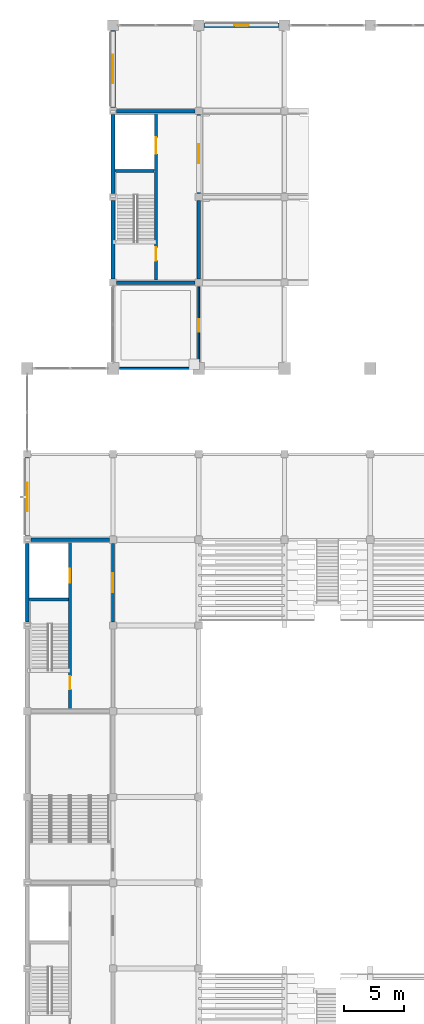
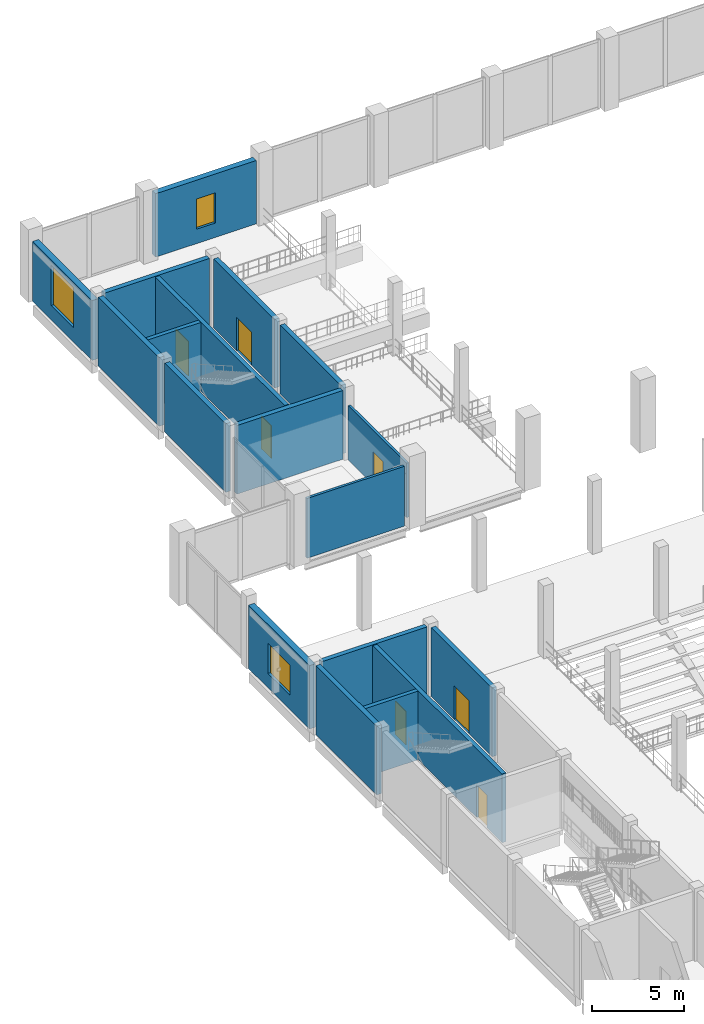
# One storey, part 67 of 99: 18 walls, 7 doors, 3 windows, 10 openings.
"""IFC4 building model written with IfcOpenShell, lengths in metres."""

from ifc_helpers import new_model, si_unit, direction, frame, frame_2d, origin, place, context, subcontext, project, spatial, rectangle, extrude, material, layer, layer_set, type_object, element, fill, save


model = new_model("IFC4")

# Units and contexts
model_context = context("Model", 3, precision=1e-05, world=origin(), true_north=direction((0.0, 1.0)))
body_context = subcontext(model_context, "Body", "Model", "MODEL_VIEW")
ifc_project = project(units=[si_unit("LENGTHUNIT", "METRE"), si_unit("AREAUNIT", "SQUARE_METRE"), si_unit("VOLUMEUNIT", "CUBIC_METRE"), si_unit("PLANEANGLEUNIT", "RADIAN"), si_unit("MASSUNIT", "GRAM", prefix="KILO")], contexts=[model_context])

# Site, building, storey
site_placement = place(None, origin())
site = spatial("IfcSite", under=ifc_project, at=site_placement, CompositionType="ELEMENT")
building_placement = place(site_placement, origin())
building = spatial("IfcBuilding", under=site, at=building_placement, Name="Vesperath Aquatics Centre", CompositionType="ELEMENT")
storey_placement = place(building_placement, frame((0.0, 0.0, 5.39990234375)))
storey = spatial("IfcBuildingStorey", under=building, at=storey_placement, Name="L01", CompositionType="ELEMENT", Elevation=5.39990234375)

# Wall, opening, window
ifc_material_1 = material(Name="Red-terracotta brick insulated cavity wall", Category="masonry")
ifc_layer_1 = layer(ifc_material_1, 0.3798828125)
ifc_layer_set_1 = layer_set([ifc_layer_1], Name="Red-terracotta brick insulated cavity wall")
wall_type_1 = type_object("IfcWallType", Name="WL-EW02", PredefinedType="SOLIDWALL", material=ifc_layer_set_1)
wall_1_placement = place(storey_placement, frame((0.0, 72.300048828125, 0.0), z_axis=(0.0, 0.0, 1.0), x_axis=(0.0, 1.0, 0.0)))
wall_1 = element("IfcWall", 1, at=wall_1_placement, inside=storey, type_object=wall_type_1, Name="Exterior Wall EW02 L01_W_00_10", PredefinedType="SOLIDWALL", context=body_context, shape_type="SweptSolid", body=[
    extrude(rectangle(XDim=6.599853515625, YDim=0.3798828125, at=frame_2d((3.2998046875, 0.0))), origin(), (0.0, 0.0, 1.0), 4.190185546875),
])
opening_1_placement = place(wall_1_placement, frame((2.10009765625, 0.0, 0.949951171875)))
opening_1 = element("IfcOpeningElement", 2, at=opening_1_placement, cuts=wall_1, Name="Opening W05", PredefinedType="OPENING", context=body_context, shape_type="SweptSolid", body=[
    extrude(rectangle(XDim=2.39990234375, YDim=2.0, at=frame_2d((1.199951171875, 1.0))), frame((0.0, 0.204833984375, 0.0), z_axis=(0.0, -1.0, 0.0), x_axis=(1.0, 0.0, 0.0)), (0.0, 0.0, 1.0), 0.40966796875),
])
ifc_material_2 = material(Name="Thermally broken aluminium triple-glazed window", Category="aluminium")
window_type_1 = type_object("IfcWindowType", Name="WN-W05", PartitioningType="SINGLE_PANEL", PredefinedType="WINDOW", material=ifc_material_2)
window_1_placement = place(opening_1_placement, origin())
window_1 = element("IfcWindow", 3, at=window_1_placement, inside=storey, type_object=window_type_1, Name="Deep-Reveal Casement Window W05 L01_W_00_10", OverallHeight=2.0, OverallWidth=2.39990234375, PartitioningType="SINGLE_PANEL", PredefinedType="WINDOW", context=body_context, shape_type="SweptSolid", body=[
    extrude(rectangle(XDim=2.39990234375, YDim=2.0, at=frame_2d((1.199951171875, 1.0))), frame((0.0, 0.030029296875, 0.0), z_axis=(0.0, -1.0, 0.0), x_axis=(1.0, 0.0, 0.0)), (0.0, 0.0, 1.0), 0.06005859375),
])
fill(opening_1, window_1)

wall_2_placement = place(storey_placement, frame((7.199951171875, 108.300048828125, 0.0), z_axis=(0.0, 0.0, 1.0), x_axis=(0.0, 1.0, 0.0)))
wall_2 = element("IfcWall", 4, at=wall_2_placement, inside=storey, type_object=wall_type_1, Name="Exterior Wall EW02 L01_W_01_15", PredefinedType="SOLIDWALL", context=body_context, shape_type="SweptSolid", body=[
    extrude(rectangle(XDim=6.449951171875, YDim=0.3798828125, at=frame_2d((3.22509765625, 0.0))), origin(), (0.0, 0.0, 1.0), 3.9521484375),
])
opening_2_placement = place(wall_2_placement, frame((2.02490234375, 0.0, 0.949951171875)))
opening_2 = element("IfcOpeningElement", 5, at=opening_2_placement, cuts=wall_2, Name="Opening W01", PredefinedType="OPENING", context=body_context, shape_type="SweptSolid", body=[
    extrude(rectangle(XDim=2.39990234375, YDim=2.64990234375, at=frame_2d((1.199951171875, 1.324951171875))), frame((0.0, 0.204833984375, 0.0), z_axis=(0.0, -1.0, 0.0), x_axis=(1.0, 0.0, 0.0)), (0.0, 0.0, 1.0), 0.40966796875),
])
window_type_2 = type_object("IfcWindowType", Name="WN-W01", PartitioningType="SINGLE_PANEL", PredefinedType="WINDOW", material=ifc_material_2)
window_2_placement = place(opening_2_placement, origin())
window_2 = element("IfcWindow", 6, at=window_2_placement, inside=storey, type_object=window_type_2, Name="Deep-Reveal Casement Window W01 L01_W_01_15", OverallHeight=2.64990234375, OverallWidth=2.39990234375, PartitioningType="SINGLE_PANEL", PredefinedType="WINDOW", context=body_context, shape_type="SweptSolid", body=[
    extrude(rectangle(XDim=2.39990234375, YDim=2.64990234375, at=frame_2d((1.199951171875, 1.324951171875))), frame((0.0, 0.030029296875, 0.0), z_axis=(0.0, -1.0, 0.0), x_axis=(1.0, 0.0, 0.0)), (0.0, 0.0, 1.0), 0.06005859375),
])
fill(opening_2, window_2)

ifc_material_3 = material(Name="Glazed majolica and brick insulated cavity wall", Category="masonry")
ifc_layer_2 = layer(ifc_material_3, 0.360107421875)
ifc_layer_set_2 = layer_set([ifc_layer_2], Name="Glazed majolica and brick insulated cavity wall")
wall_type_2 = type_object("IfcWallType", Name="WL-EW03", PredefinedType="SOLIDWALL", material=ifc_layer_set_2)
wall_3_placement = place(storey_placement, frame((14.85009765625, 115.199951171875, 0.0), z_axis=(0.0, 0.0, 1.0), x_axis=(1.0, 0.0, 0.0)))
wall_3 = element("IfcWall", 7, at=wall_3_placement, inside=storey, type_object=wall_type_2, Name="Exterior Wall EW03 L01_N_02_16", PredefinedType="SOLIDWALL", context=body_context, shape_type="SweptSolid", body=[
    extrude(rectangle(XDim=6.2998046875, YDim=0.360107421875, at=frame_2d((3.14990234375, 0.0))), origin(), (0.0, 0.0, 1.0), 4.190185546875),
])
opening_3_placement = place(wall_3_placement, frame((2.550048828125, 0.0, 0.949951171875)))
opening_3 = element("IfcOpeningElement", 8, at=opening_3_placement, cuts=wall_3, Name="Opening W09", PredefinedType="OPENING", context=body_context, shape_type="SweptSolid", body=[
    extrude(rectangle(XDim=1.199951171875, YDim=2.0, at=frame_2d((0.60009765625, 1.0))), frame((0.0, 0.19482421875, 0.0), z_axis=(0.0, -1.0, 0.0), x_axis=(1.0, 0.0, 0.0)), (0.0, 0.0, 1.0), 0.389892578125),
])
window_type_3 = type_object("IfcWindowType", Name="WN-W09", PartitioningType="SINGLE_PANEL", PredefinedType="WINDOW", material=ifc_material_2)
window_3_placement = place(opening_3_placement, origin())
window_3 = element("IfcWindow", 9, at=window_3_placement, inside=storey, type_object=window_type_3, Name="Deep-Reveal Casement Window W09 L01_N_02_16", OverallHeight=2.0, OverallWidth=1.199951171875, PartitioningType="SINGLE_PANEL", PredefinedType="WINDOW", context=body_context, shape_type="SweptSolid", body=[
    extrude(rectangle(XDim=1.199951171875, YDim=2.0, at=frame_2d((0.60009765625, 1.0))), frame((0.0, 0.030029296875, 0.0), z_axis=(0.0, -1.0, 0.0), x_axis=(1.0, 0.0, 0.0)), (0.0, 0.0, 1.0), 0.06005859375),
])
fill(opening_3, window_3)

# Wall
ifc_material_4 = material(Name="Clinic acoustic partition", Category="gypsum")
ifc_layer_3 = layer(ifc_material_4, 0.159912109375)
ifc_layer_set_3 = layer_set([ifc_layer_3], Name="Clinic acoustic partition")
wall_type_3 = type_object("IfcWallType", Name="WL-IW04", PredefinedType="PARTITIONING", material=ifc_layer_set_3)
wall_4_placement = place(storey_placement, frame((7.75, 86.39990234375, 0.0), z_axis=(0.0, 0.0, 1.0), x_axis=(1.0, 0.0, 0.0)))
element("IfcWall", 10, at=wall_4_placement, inside=storey, type_object=wall_type_3, Name="Interior Partition IW04 L01_DIVE_JDG-S1", PredefinedType="PARTITIONING", context=body_context, shape_type="SweptSolid", body=[
    extrude(rectangle(XDim=6.10009765625, YDim=0.159912109375, at=frame_2d((3.050048828125, 0.0))), origin(), (0.0, 0.0, 1.0), 3.9521484375),
])

# Wall, opening, door
ifc_material_5 = material(Name="Laboratory clean partition", Category="gypsum")
ifc_layer_4 = layer(ifc_material_5, 0.152099609375)
ifc_layer_set_4 = layer_set([ifc_layer_4], Name="Laboratory clean partition")
wall_type_4 = type_object("IfcWallType", Name="WL-IW05", PredefinedType="PARTITIONING", material=ifc_layer_set_4)
wall_5_placement = place(storey_placement, frame((14.39990234375, 86.949951171875, 0.0), z_axis=(0.0, 0.0, 1.0), x_axis=(0.0, 1.0, 0.0)))
wall_5 = element("IfcWall", 11, at=wall_5_placement, inside=storey, type_object=wall_type_4, Name="Interior Partition IW05 L01_DIVE_JDG-E1", PredefinedType="PARTITIONING", context=body_context, shape_type="SweptSolid", body=[
    extrude(rectangle(XDim=6.300048828125, YDim=0.152099609375, at=frame_2d((3.14990234375, 0.0))), origin(), (0.0, 0.0, 1.0), 3.59521484375),
])
opening_4_placement = place(wall_5_placement, frame((2.510009765625, 0.0, 0.0)))
opening_4 = element("IfcOpeningElement", 12, at=opening_4_placement, cuts=wall_5, Name="Opening D13", PredefinedType="OPENING", context=body_context, shape_type="SweptSolid", body=[
    extrude(rectangle(XDim=1.080078125, YDim=2.14990234375, at=frame_2d((0.5400390625, 1.074951171875))), frame((0.0, 0.0908203125, 0.0), z_axis=(0.0, -1.0, 0.0), x_axis=(1.0, 0.0, 0.0)), (0.0, 0.0, 1.0), 0.181884765625),
])
ifc_material_6 = material(Name="Officials suite acoustic door", Category="steel")
door_type_1 = type_object("IfcDoorType", Name="DR-RM05", OperationType="NOTDEFINED", PredefinedType="DOOR", material=ifc_material_6)
door_1_placement = place(opening_4_placement, origin())
door_1 = element("IfcDoor", 13, at=door_1_placement, inside=storey, type_object=door_type_1, Name="Diving Judges Review Room Door D13", OperationType="SINGLE_SWING_LEFT", OverallHeight=2.14990234375, OverallWidth=1.080078125, PredefinedType="DOOR", context=body_context, shape_type="SweptSolid", body=[
    extrude(rectangle(XDim=1.080078125, YDim=2.14990234375, at=frame_2d((0.5400390625, 1.074951171875))), frame((0.0, 0.02490234375, 0.0), z_axis=(0.0, -1.0, 0.0), x_axis=(1.0, 0.0, 0.0)), (0.0, 0.0, 1.0), 0.050048828125),
])
fill(opening_4, door_1)

# Walls
ifc_material_7 = material(Name="Concrete C40", Category="concrete")
ifc_layer_5 = layer(ifc_material_7, 0.300048828125)
ifc_layer_set_5 = layer_set([ifc_layer_5], Name="Concrete C40")
wall_type_5 = type_object("IfcWallType", Name="WL-SW01", PredefinedType="SHEAR", material=ifc_layer_set_5)
for number, where, z_axis, x_axis, name in (
    (14, (7.5, 93.60009765625, 0.0), (0.0, 0.0, 1.0), (1.0, 0.0, 0.0), "Core C3 South Shear Wall SW01 L01"),
    (15, (7.5, 108.0, 0.0), (0.0, 0.0, 1.0), (1.0, 0.0, 0.0), "Core C3 North Shear Wall SW01 L01"),
    (16, (14.39990234375, 93.89990234375, 0.0), (0.0, 0.0, 1.0), (0.0, 1.0, 0.0), "Core C3 East-1 Shear Wall SW01 L01"),
):
    element("IfcWall", number, at=place(storey_placement, frame(where, z_axis=z_axis, x_axis=x_axis)), inside=storey, type_object=wall_type_5, Name=name, PredefinedType="SHEAR", context=body_context, shape_type="SweptSolid", body=[
        extrude(rectangle(XDim=6.60009765625, YDim=0.300048828125, at=frame_2d((3.300048828125, 0.0))), origin(), (0.0, 0.0, 1.0), 4.5400390625),
    ])

# Wall, opening, door
wall_6_placement = place(storey_placement, frame((14.39990234375, 101.10009765625, 0.0), z_axis=(0.0, 0.0, 1.0), x_axis=(0.0, 1.0, 0.0)))
wall_6 = element("IfcWall", 17, at=wall_6_placement, inside=storey, type_object=wall_type_5, Name="Core C3 East-2 Shear Wall SW01 L01", PredefinedType="SHEAR", context=body_context, shape_type="SweptSolid", body=[
    extrude(rectangle(XDim=6.599853515625, YDim=0.300048828125, at=frame_2d((3.2998046875, 0.0))), origin(), (0.0, 0.0, 1.0), 4.5400390625),
])
opening_5_placement = place(wall_6_placement, frame((2.5, 0.0, 0.0)))
opening_5 = element("IfcOpeningElement", 18, at=opening_5_placement, cuts=wall_6, Name="Opening D02", PredefinedType="OPENING", context=body_context, shape_type="SweptSolid", body=[
    extrude(rectangle(XDim=1.60009765625, YDim=2.199951171875, at=frame_2d((0.800048828125, 1.10009765625))), frame((0.0, 0.1650390625, 0.0), z_axis=(0.0, -1.0, 0.0), x_axis=(1.0, 0.0, 0.0)), (0.0, 0.0, 1.0), 0.329833984375),
])
ifc_material_8 = material(Name="Glazed fire-rated lobby double door", Category="steel")
door_type_2 = type_object("IfcDoorType", Name="DR-FD02", OperationType="DOUBLE_SWING_LEFT", PredefinedType="DOOR", material=ifc_material_8)
door_2_placement = place(opening_5_placement, frame((1.60009765625, 0.0, 0.0), z_axis=(0.0, 0.0, 1.0), x_axis=(-1.0, 0.0, 0.0)))
door_2 = element("IfcDoor", 19, at=door_2_placement, inside=storey, type_object=door_type_2, Name="Core C3 Lobby Fire Door D02 L01", OperationType="DOUBLE_SWING_LEFT", OverallHeight=2.199951171875, OverallWidth=1.60009765625, PredefinedType="DOOR", context=body_context, shape_type="SweptSolid", body=[
    extrude(rectangle(XDim=1.60009765625, YDim=2.199951171875, at=frame_2d((0.800048828125, 1.10009765625))), frame((0.0, 0.02490234375, 0.0), z_axis=(0.0, -1.0, 0.0), x_axis=(1.0, 0.0, 0.0)), (0.0, 0.0, 1.0), 0.050048828125),
])
fill(opening_5, door_2)

# Wall
ifc_layer_6 = layer(ifc_material_7, 0.280029296875)
ifc_layer_set_6 = layer_set([ifc_layer_6], Name="Concrete C40")
wall_type_6 = type_object("IfcWallType", Name="WL-SW02", PredefinedType="SHEAR", material=ifc_layer_set_6)
wall_7_placement = place(storey_placement, frame((0.300048828125, 72.0, 0.0), z_axis=(0.0, 0.0, 1.0), x_axis=(1.0, 0.0, 0.0)))
element("IfcWall", 20, at=wall_7_placement, inside=storey, type_object=wall_type_6, Name="Core C2 North Shear Wall SW02 L01", PredefinedType="SHEAR", context=body_context, shape_type="SweptSolid", body=[
    extrude(rectangle(XDim=6.599853515625, YDim=0.280029296875, at=frame_2d((3.2998046875, 0.0))), origin(), (0.0, 0.0, 1.0), 4.5400390625),
])

# Wall, opening, door
wall_8_placement = place(storey_placement, frame((7.199951171875, 65.10009765625, 0.0), z_axis=(0.0, 0.0, 1.0), x_axis=(0.0, 1.0, 0.0)))
wall_8 = element("IfcWall", 21, at=wall_8_placement, inside=storey, type_object=wall_type_6, Name="Core C2 East-2 Shear Wall SW02 L01", PredefinedType="SHEAR", context=body_context, shape_type="SweptSolid", body=[
    extrude(rectangle(XDim=6.599853515625, YDim=0.280029296875, at=frame_2d((3.2998046875, 0.0))), origin(), (0.0, 0.0, 1.0), 4.5400390625),
])
opening_6_placement = place(wall_8_placement, frame((2.5, 0.0, 0.0)))
opening_6 = element("IfcOpeningElement", 22, at=opening_6_placement, cuts=wall_8, Name="Opening D02", PredefinedType="OPENING", context=body_context, shape_type="SweptSolid", body=[
    extrude(rectangle(XDim=1.60009765625, YDim=2.199951171875, at=frame_2d((0.800048828125, 1.10009765625))), frame((0.0, 0.15478515625, 0.0), z_axis=(0.0, -1.0, 0.0), x_axis=(1.0, 0.0, 0.0)), (0.0, 0.0, 1.0), 0.309814453125),
])
door_3_placement = place(opening_6_placement, frame((1.60009765625, 0.0, 0.0), z_axis=(0.0, 0.0, 1.0), x_axis=(-1.0, 0.0, 0.0)))
door_3 = element("IfcDoor", 23, at=door_3_placement, inside=storey, type_object=door_type_2, Name="Core C2 Lobby Fire Door D02 L01", OperationType="DOUBLE_SWING_LEFT", OverallHeight=2.199951171875, OverallWidth=1.60009765625, PredefinedType="DOOR", context=body_context, shape_type="SweptSolid", body=[
    extrude(rectangle(XDim=1.60009765625, YDim=2.199951171875, at=frame_2d((0.800048828125, 1.10009765625))), frame((0.0, 0.02490234375, 0.0), z_axis=(0.0, -1.0, 0.0), x_axis=(1.0, 0.0, 0.0)), (0.0, 0.0, 1.0), 0.050048828125),
])
fill(opening_6, door_3)

# Wall, openings, doors
ifc_layer_7 = layer(ifc_material_7, 0.260009765625)
ifc_layer_set_7 = layer_set([ifc_layer_7], Name="Concrete C40")
wall_type_7 = type_object("IfcWallType", Name="WL-SW03", PredefinedType="SHEAR", material=ifc_layer_set_7)
wall_9_placement = place(storey_placement, frame((3.60009765625, 57.800048828125, 0.0), z_axis=(0.0, 0.0, 1.0), x_axis=(0.0, 1.0, 0.0)))
wall_9 = element("IfcWall", 24, at=wall_9_placement, inside=storey, type_object=wall_type_7, Name="Core C2 Spine Shear Wall SW03 L01", PredefinedType="SHEAR", context=body_context, shape_type="SweptSolid", body=[
    extrude(rectangle(XDim=14.0, YDim=0.260009765625, at=frame_2d((7.0, 0.0))), origin(), (0.0, 0.0, 1.0), 4.5400390625),
])
opening_7_placement = place(wall_9_placement, frame((1.64990234375, 0.0, 0.0)))
opening_7 = element("IfcOpeningElement", 25, at=opening_7_placement, cuts=wall_9, Name="Opening D01", PredefinedType="OPENING", context=body_context, shape_type="SweptSolid", body=[
    extrude(rectangle(XDim=1.10009765625, YDim=2.14990234375, at=frame_2d((0.550048828125, 1.074951171875))), frame((0.0, 0.14501953125, 0.0), z_axis=(0.0, -1.0, 0.0), x_axis=(1.0, 0.0, 0.0)), (0.0, 0.0, 1.0), 0.289794921875),
])
opening_8_placement = place(wall_9_placement, frame((10.60009765625, 0.0, 0.0)))
opening_8 = element("IfcOpeningElement", 26, at=opening_8_placement, cuts=wall_9, Name="Opening LD02", PredefinedType="OPENING", context=body_context, shape_type="SweptSolid", body=[
    extrude(rectangle(XDim=1.14990234375, YDim=2.199951171875, at=frame_2d((0.574951171875, 1.10009765625))), frame((0.0, 0.14501953125, 0.0), z_axis=(0.0, -1.0, 0.0), x_axis=(1.0, 0.0, 0.0)), (0.0, 0.0, 1.0), 0.289794921875),
])
ifc_material_9 = material(Name="Steel-faced acoustic fire door", Category="steel")
door_type_3 = type_object("IfcDoorType", Name="DR-FD01", OperationType="NOTDEFINED", PredefinedType="DOOR", material=ifc_material_9)
door_4_placement = place(opening_7_placement, origin())
door_4 = element("IfcDoor", 27, at=door_4_placement, inside=storey, type_object=door_type_3, Name="Stair ST2 Fire Door D01 L01", OperationType="SINGLE_SWING_LEFT", OverallHeight=2.14990234375, OverallWidth=1.10009765625, PredefinedType="DOOR", context=body_context, shape_type="SweptSolid", body=[
    extrude(rectangle(XDim=1.10009765625, YDim=2.14990234375, at=frame_2d((0.550048828125, 1.074951171875))), frame((0.0, 0.02490234375, 0.0), z_axis=(0.0, -1.0, 0.0), x_axis=(1.0, 0.0, 0.0)), (0.0, 0.0, 1.0), 0.050048828125),
])
fill(opening_7, door_4)
ifc_material_10 = material(Name="Brushed stainless steel lift landing door", Category="steel")
door_type_4 = type_object("IfcDoorType", Name="DR-LD02", OperationType="SLIDING_TO_RIGHT", PredefinedType="DOOR", material=ifc_material_10)
door_5_placement = place(opening_8_placement, frame((1.14990234375, 0.0, 0.0), z_axis=(0.0, 0.0, 1.0), x_axis=(-1.0, 0.0, 0.0)))
door_5 = element("IfcDoor", 28, at=door_5_placement, inside=storey, type_object=door_type_4, Name="Lift LFT-P2 Sliding Landing Door LD02 L01", OperationType="SLIDING_TO_RIGHT", OverallHeight=2.199951171875, OverallWidth=1.14990234375, PredefinedType="DOOR", context=body_context, shape_type="SweptSolid", body=[
    extrude(rectangle(XDim=1.14990234375, YDim=2.199951171875, at=frame_2d((0.574951171875, 1.10009765625))), frame((0.0, 0.02490234375, 0.0), z_axis=(0.0, -1.0, 0.0), x_axis=(1.0, 0.0, 0.0)), (0.0, 0.0, 1.0), 0.050048828125),
])
fill(opening_8, door_5)

wall_10_placement = place(storey_placement, frame((10.800048828125, 93.800048828125, 0.0), z_axis=(0.0, 0.0, 1.0), x_axis=(0.0, 1.0, 0.0)))
wall_10 = element("IfcWall", 29, at=wall_10_placement, inside=storey, type_object=wall_type_7, Name="Core C3 Spine Shear Wall SW03 L01", PredefinedType="SHEAR", context=body_context, shape_type="SweptSolid", body=[
    extrude(rectangle(XDim=14.0, YDim=0.260009765625, at=frame_2d((7.0, 0.0))), origin(), (0.0, 0.0, 1.0), 4.5400390625),
])
opening_9_placement = place(wall_10_placement, frame((1.64990234375, 0.0, 0.0)))
opening_9 = element("IfcOpeningElement", 30, at=opening_9_placement, cuts=wall_10, Name="Opening D01", PredefinedType="OPENING", context=body_context, shape_type="SweptSolid", body=[
    extrude(rectangle(XDim=1.10009765625, YDim=2.14990234375, at=frame_2d((0.550048828125, 1.074951171875))), frame((0.0, 0.14501953125, 0.0), z_axis=(0.0, -1.0, 0.0), x_axis=(1.0, 0.0, 0.0)), (0.0, 0.0, 1.0), 0.289794921875),
])
opening_10_placement = place(wall_10_placement, frame((10.60009765625, 0.0, 0.0)))
opening_10 = element("IfcOpeningElement", 31, at=opening_10_placement, cuts=wall_10, Name="Opening LD04", PredefinedType="OPENING", context=body_context, shape_type="SweptSolid", body=[
    extrude(rectangle(XDim=1.39990234375, YDim=2.300048828125, at=frame_2d((0.699951171875, 1.14990234375))), frame((0.0, 0.14501953125, 0.0), z_axis=(0.0, -1.0, 0.0), x_axis=(1.0, 0.0, 0.0)), (0.0, 0.0, 1.0), 0.289794921875),
])
door_6_placement = place(opening_9_placement, origin())
door_6 = element("IfcDoor", 32, at=door_6_placement, inside=storey, type_object=door_type_3, Name="Stair ST3 Fire Door D01 L01", OperationType="SINGLE_SWING_RIGHT", OverallHeight=2.14990234375, OverallWidth=1.10009765625, PredefinedType="DOOR", context=body_context, shape_type="SweptSolid", body=[
    extrude(rectangle(XDim=1.10009765625, YDim=2.14990234375, at=frame_2d((0.550048828125, 1.074951171875))), frame((0.0, 0.02490234375, 0.0), z_axis=(0.0, -1.0, 0.0), x_axis=(1.0, 0.0, 0.0)), (0.0, 0.0, 1.0), 0.050048828125),
])
fill(opening_9, door_6)
ifc_material_11 = material(Name="Goods stainless lift landing door", Category="steel")
door_type_5 = type_object("IfcDoorType", Name="DR-LD04", OperationType="SLIDING_TO_RIGHT", PredefinedType="DOOR", material=ifc_material_11)
door_7_placement = place(opening_10_placement, frame((1.39990234375, 0.0, 0.0), z_axis=(0.0, 0.0, 1.0), x_axis=(-1.0, 0.0, 0.0)))
door_7 = element("IfcDoor", 33, at=door_7_placement, inside=storey, type_object=door_type_5, Name="Lift LFT-G1 Sliding Landing Door LD04 L01", OperationType="SLIDING_TO_RIGHT", OverallHeight=2.300048828125, OverallWidth=1.39990234375, PredefinedType="DOOR", context=body_context, shape_type="SweptSolid", body=[
    extrude(rectangle(XDim=1.39990234375, YDim=2.300048828125, at=frame_2d((0.699951171875, 1.14990234375))), frame((0.0, 0.02490234375, 0.0), z_axis=(0.0, -1.0, 0.0), x_axis=(1.0, 0.0, 0.0)), (0.0, 0.0, 1.0), 0.050048828125),
])
fill(opening_10, door_7)

# Walls
ifc_layer_8 = layer(ifc_material_7, 0.25)
ifc_layer_set_8 = layer_set([ifc_layer_8], Name="Concrete C40")
wall_type_8 = type_object("IfcWallType", Name="WL-SW04", PredefinedType="SHEAR", material=ifc_layer_set_8)
wall_11_placement = place(storey_placement, frame((0.159912109375, 66.97998046875, 0.0), z_axis=(0.0, 0.0, 1.0), x_axis=(1.0, 0.0, 0.0)))
element("IfcWall", 34, at=wall_11_placement, inside=storey, type_object=wall_type_8, Name="Core C2 Lift Shaft Wall SW04 L01", PredefinedType="SHEAR", context=body_context, shape_type="SweptSolid", body=[
    extrude(rectangle(XDim=3.300048828125, YDim=0.25, at=frame_2d((1.64990234375, 0.0))), origin(), (0.0, 0.0, 1.0), 4.5400390625),
])
wall_12_placement = place(storey_placement, frame((7.360107421875, 102.97998046875, 0.0), z_axis=(0.0, 0.0, 1.0), x_axis=(1.0, 0.0, 0.0)))
element("IfcWall", 35, at=wall_12_placement, inside=storey, type_object=wall_type_8, Name="Core C3 Lift Shaft Wall SW04 L01", PredefinedType="SHEAR", context=body_context, shape_type="SweptSolid", body=[
    extrude(rectangle(XDim=3.2998046875, YDim=0.25, at=frame_2d((1.64990234375, 0.0))), origin(), (0.0, 0.0, 1.0), 4.5400390625),
])
ifc_layer_9 = layer(ifc_material_7, 0.31005859375)
ifc_layer_set_9 = layer_set([ifc_layer_9], Name="Concrete C40")
wall_type_9 = type_object("IfcWallType", Name="WL-SW05", PredefinedType="SHEAR", material=ifc_layer_set_9)
wall_13_placement = place(storey_placement, frame((7.199951171875, 93.89990234375, 0.0), z_axis=(0.0, 0.0, 1.0), x_axis=(0.0, 1.0, 0.0)))
element("IfcWall", 36, at=wall_13_placement, inside=storey, type_object=wall_type_9, Name="Core C3 West-1 Shear Wall SW05 L01", PredefinedType="SHEAR", context=body_context, shape_type="SweptSolid", body=[
    extrude(rectangle(XDim=6.60009765625, YDim=0.31005859375, at=frame_2d((3.300048828125, 0.0))), origin(), (0.0, 0.0, 1.0), 4.5400390625),
])
wall_14_placement = place(storey_placement, frame((7.199951171875, 101.10009765625, 0.0), z_axis=(0.0, 0.0, 1.0), x_axis=(0.0, 1.0, 0.0)))
element("IfcWall", 37, at=wall_14_placement, inside=storey, type_object=wall_type_9, Name="Core C3 West-2 Shear Wall SW05 L01", PredefinedType="SHEAR", context=body_context, shape_type="SweptSolid", body=[
    extrude(rectangle(XDim=6.599853515625, YDim=0.31005859375, at=frame_2d((3.2998046875, 0.0))), origin(), (0.0, 0.0, 1.0), 4.5400390625),
])
ifc_layer_10 = layer(ifc_material_7, 0.2900390625)
ifc_layer_set_10 = layer_set([ifc_layer_10], Name="Concrete C40")
wall_type_10 = type_object("IfcWallType", Name="WL-SW06", PredefinedType="SHEAR", material=ifc_layer_set_10)
wall_15_placement = place(storey_placement, frame((0.0, 65.10009765625, 0.0), z_axis=(0.0, 0.0, 1.0), x_axis=(0.0, 1.0, 0.0)))
element("IfcWall", 38, at=wall_15_placement, inside=storey, type_object=wall_type_10, Name="Core C2 West-2 Shear Wall SW06 L01", PredefinedType="SHEAR", context=body_context, shape_type="SweptSolid", body=[
    extrude(rectangle(XDim=6.599853515625, YDim=0.2900390625, at=frame_2d((3.2998046875, 0.0))), origin(), (0.0, 0.0, 1.0), 4.5400390625),
])

save(model, "model.ifc")
